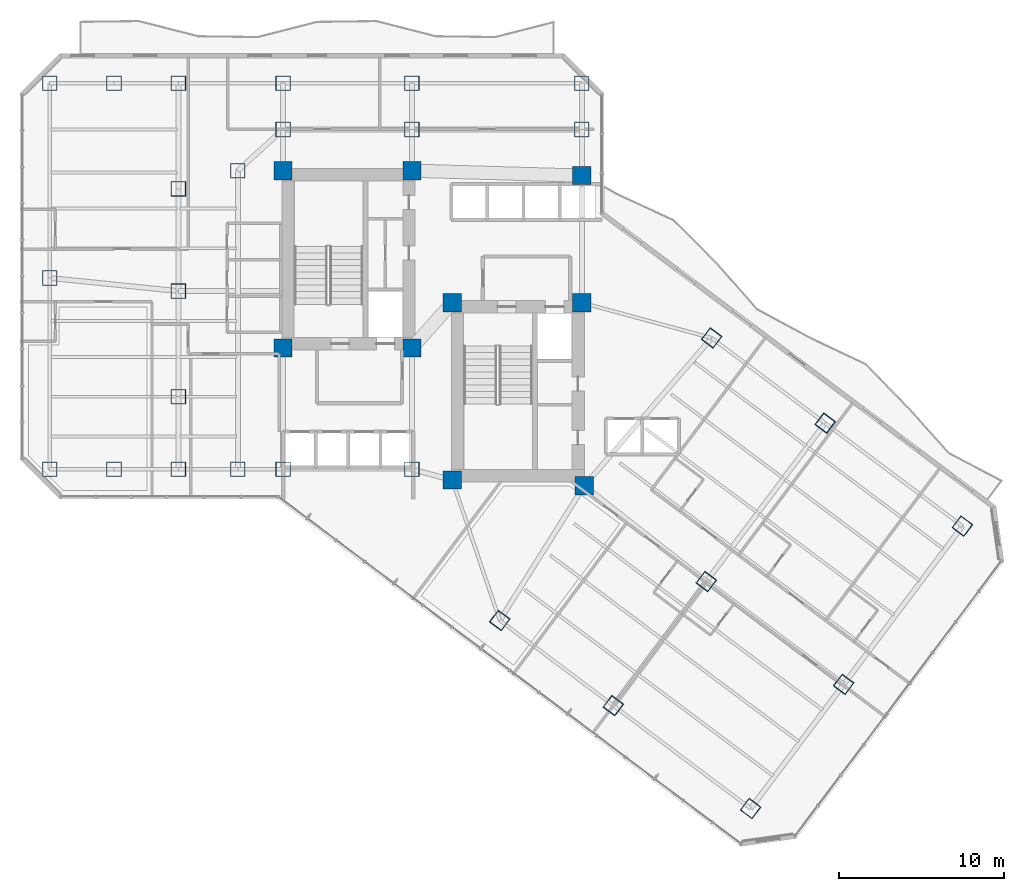
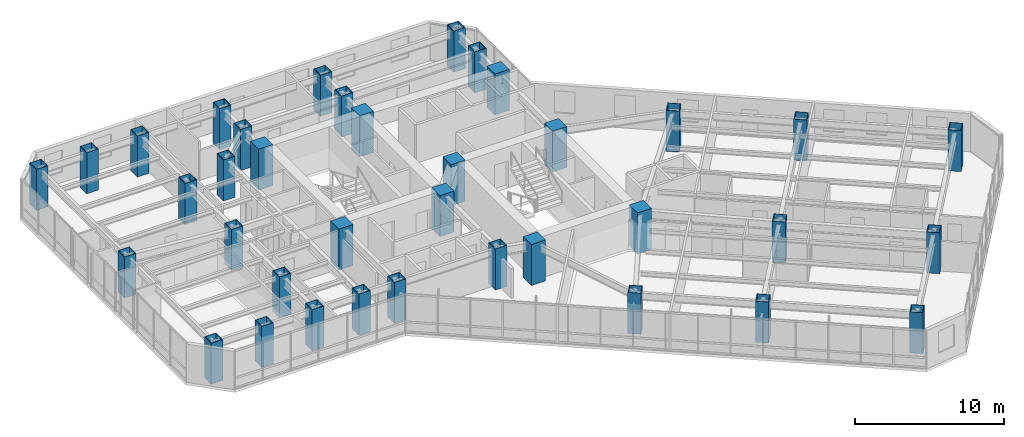
# One storey, part 1 of 36: 37 columns.
"""IFC4 building model written with IfcOpenShell, lengths in metres."""

from ifc_helpers import new_model, si_unit, direction, frame, origin, origin_2d, place, context, subcontext, project, spatial, rectangle, hollow_rectangle, extrude, material, material_profile, profile_set, type_object, element, save


model = new_model("IFC4")

# Units and contexts
model_context = context("Model", 3, precision=1e-05, world=origin(), true_north=direction((0.0, 1.0)))
body_context = subcontext(model_context, "Body", "Model", "MODEL_VIEW")
ifc_project = project(units=[si_unit("LENGTHUNIT", "METRE"), si_unit("AREAUNIT", "SQUARE_METRE"), si_unit("VOLUMEUNIT", "CUBIC_METRE"), si_unit("PLANEANGLEUNIT", "RADIAN"), si_unit("MASSUNIT", "GRAM", prefix="KILO")], contexts=[model_context])

# Site, building, storey
site_placement = place(None, origin())
site = spatial("IfcSite", under=ifc_project, at=site_placement, CompositionType="ELEMENT")
building_placement = place(site_placement, origin())
building = spatial("IfcBuilding", under=site, at=building_placement, Name="Hatsunagi Terrace Concourse", CompositionType="ELEMENT")
storey_placement = place(building_placement, frame((0.0, 0.0, 84.64990234375)))
storey = spatial("IfcBuildingStorey", under=building, at=storey_placement, Name="L22", CompositionType="ELEMENT", Elevation=84.64990234375)

# Columns
ifc_material_1 = material(Name="Concrete Fc60", Category="concrete")
ifc_material_profile_1 = material_profile(ifc_material_1, rectangle(XDim=1.10009765625, YDim=1.10009765625, at=origin_2d()), Name="RC-1100x1100")
ifc_profile_set_1 = profile_set([ifc_material_profile_1], Name="Concrete Fc60")
column_type_1 = type_object("IfcColumnType", Name="CoreColumn_RC_1100x1100", PredefinedType="COLUMN", material=ifc_profile_set_1)
for number, where, z_axis, x_axis, name in (
    (1, (25.550048828125, 32.550048828125, 0.0), (0.0, 0.0, 1.0), (1.0, 0.0, 0.0), "Column C-01 L22-CASW"),
    (2, (33.35009765625, 32.550048828125, 0.0), (0.0, 0.0, 1.0), (1.0, 0.0, 0.0), "Column C-01 L22-CASE"),
    (3, (25.550048828125, 43.300048828125, 0.0), (0.0, 0.0, 1.0), (1.0, 0.0, 0.0), "Column C-01 L22-CANW"),
    (4, (33.35009765625, 43.300048828125, 0.0), (0.0, 0.0, 1.0), (1.0, 0.0, 0.0), "Column C-01 L22-CANE"),
    (5, (35.800048828125, 24.550048828125, 0.0), (0.0, 0.0, 1.0), (1.0, 0.0, 0.0), "Column C-01 L22-CBSW"),
    (6, (43.800048828125, 24.199951171875, 0.0), (0.0, 0.0, 1.0), (1.0, 0.0, 0.0), "Column C-01 L22-CBSE"),
    (7, (35.800048828125, 35.300048828125, 0.0), (0.0, 0.0, 1.0), (1.0, 0.0, 0.0), "Column C-01 L22-CBNW"),
    (8, (43.64990234375, 35.300048828125, 0.0), (0.0, 0.0, 1.0), (1.0, 0.0, 0.0), "Column C-01 L22-CBNE"),
    (9, (43.64990234375, 43.0, 0.0), (0.0, 0.0, 1.0), (1.0, 0.0, 0.0), "Column C-01 L22-K3"),
):
    element("IfcColumn", number, at=place(storey_placement, frame(where, z_axis=z_axis, x_axis=x_axis)), inside=storey, type_object=column_type_1, Name=name, PredefinedType="COLUMN", context=body_context, shape_type="SweptSolid", body=[
        extrude(rectangle(XDim=1.10009765625, YDim=1.10009765625, at=origin_2d()), origin(), (0.0, 0.0, 1.0), 3.35009765625),
    ])
ifc_material_2 = material(Name="Steel BCP325T", Category="steel")
ifc_material_profile_2 = material_profile(ifc_material_2, hollow_rectangle(XDim=0.89990234375, YDim=0.89990234375, WallThickness=0.035888671875, at=origin_2d()), Name="BCP-900x900x36")
ifc_profile_set_2 = profile_set([ifc_material_profile_2], Name="Steel BCP325T")
column_type_2 = type_object("IfcColumnType", Name="TowerBoxColumn_900x900x36", PredefinedType="COLUMN", material=ifc_profile_set_2)
for number, where, z_axis, x_axis, name in (
    (10, (25.550048828125, 25.199951171875, 0.0), (0.0, 0.0, 1.0), (1.0, 0.0, 0.0), "Column C-04 L22-K1"),
    (11, (33.35009765625, 25.199951171875, 0.0), (0.0, 0.0, 1.0), (1.0, 0.0, 0.0), "Column C-04 L22-K2"),
    (12, (25.550048828125, 45.800048828125, 0.0), (0.0, 0.0, 1.0), (1.0, 0.0, 0.0), "Column C-04 L22-CN1"),
    (13, (33.35009765625, 45.800048828125, 0.0), (0.0, 0.0, 1.0), (1.0, 0.0, 0.0), "Column C-04 L22-CN2"),
    (14, (43.64990234375, 45.800048828125, 0.0), (0.0, 0.0, 1.0), (1.0, 0.0, 0.0), "Column C-04 L22-CN3"),
    (15, (11.39990234375, 25.199951171875, 0.0), (0.0, 0.0, 1.0), (1.0, 0.0, 0.0), "Column C-04 L22-WS2"),
    (16, (11.39990234375, 48.60009765625, 0.0), (0.0, 0.0, 1.0), (1.0, 0.0, 0.0), "Column C-04 L22-WN2"),
    (17, (19.199951171875, 48.60009765625, 0.0), (0.0, 0.0, 1.0), (1.0, 0.0, 0.0), "Column C-04 L22-WN3"),
    (18, (25.550048828125, 48.60009765625, 0.0), (0.0, 0.0, 1.0), (1.0, 0.0, 0.0), "Column C-04 L22-WN4"),
    (19, (33.35009765625, 48.60009765625, 0.0), (0.0, 0.0, 1.0), (1.0, 0.0, 0.0), "Column C-04 L22-WN5"),
    (20, (43.64990234375, 48.60009765625, 0.0), (0.0, 0.0, 1.0), (1.0, 0.0, 0.0), "Column C-04 L22-WN6"),
    (21, (19.199951171875, 25.199951171875, 0.0), (0.0, 0.0, 1.0), (1.0, 0.0, 0.0), "Column C-04 L22-WS3"),
    (22, (19.199951171875, 29.60009765625, 0.0), (0.0, 0.0, 1.0), (1.0, 0.0, 0.0), "Column C-04 L22-WR1"),
    (23, (19.199951171875, 42.199951171875, 0.0), (0.0, 0.0, 1.0), (1.0, 0.0, 0.0), "Column C-04 L22-WR2"),
    (24, (22.800048828125, 25.199951171875, 0.0), (0.0, 0.0, 1.0), (1.0, 0.0, 0.0), "Column C-04 L22-CW1"),
    (25, (22.800048828125, 43.300048828125, 0.0), (0.0, 0.0, 1.0), (1.0, 0.0, 0.0), "Column C-04 L22-CW2"),
    (26, (11.39990234375, 36.800048828125, 0.0), (0.0, 0.0, 1.0), (1.0, 0.0, 0.0), "Column C-04 L22-WT1"),
    (27, (19.199951171875, 36.0, 0.0), (0.0, 0.0, 1.0), (1.0, 0.0, 0.0), "Column C-04 L22-WT2"),
    (28, (15.300048828125, 25.199951171875, 0.0), (0.0, 0.0, 1.0), (1.0, 0.0, 0.0), "Column C-04 L22-WT3"),
    (29, (15.300048828125, 48.60009765625, 0.0), (0.0, 0.0, 1.0), (1.0, 0.0, 0.0), "Column C-04 L22-WT4"),
    (30, (38.679931640625, 16.0400390625, 0.0), (0.0, 0.0, 1.0), (0.799999996291, -0.600000004945, 0.0), "Column C-04 L22-SES1"),
    (31, (51.52001953125, 33.159912109375, 0.0), (0.0, 0.0, 1.0), (0.799999996291, -0.600000004945, 0.0), "Column C-04 L22-SEN1"),
    (32, (45.56005859375, 10.8798828125, 0.0), (0.0, 0.0, 1.0), (0.799999996291, -0.600000004945, 0.0), "Column C-04 L22-SES2"),
    (33, (58.39990234375, 28.0, 0.0), (0.0, 0.0, 1.0), (0.799999996291, -0.600000004945, 0.0), "Column C-04 L22-SEN2"),
    (34, (51.199951171875, 18.39990234375, 0.0), (0.0, 0.0, 1.0), (0.799999996291, -0.600000004945, 0.0), "Column C-04 L22-SEM2"),
    (35, (53.8798828125, 4.639892578125, 0.0), (0.0, 0.0, 1.0), (0.799999996291, -0.600000004945, 0.0), "Column C-04 L22-SES3"),
    (36, (66.719970703125, 21.760009765625, 0.0), (0.0, 0.0, 1.0), (0.799999996291, -0.600000004945, 0.0), "Column C-04 L22-SEN3"),
    (37, (59.52001953125, 12.159912109375, 0.0), (0.0, 0.0, 1.0), (0.799999996291, -0.600000004945, 0.0), "Column C-04 L22-SEM3"),
):
    element("IfcColumn", number, at=place(storey_placement, frame(where, z_axis=z_axis, x_axis=x_axis)), inside=storey, type_object=column_type_2, Name=name, PredefinedType="COLUMN", context=body_context, shape_type="SweptSolid", body=[
        extrude(hollow_rectangle(XDim=0.89990234375, YDim=0.89990234375, WallThickness=0.035888671875, at=origin_2d()), origin(), (0.0, 0.0, 1.0), 3.35009765625),
    ])

save(model, "model.ifc")
